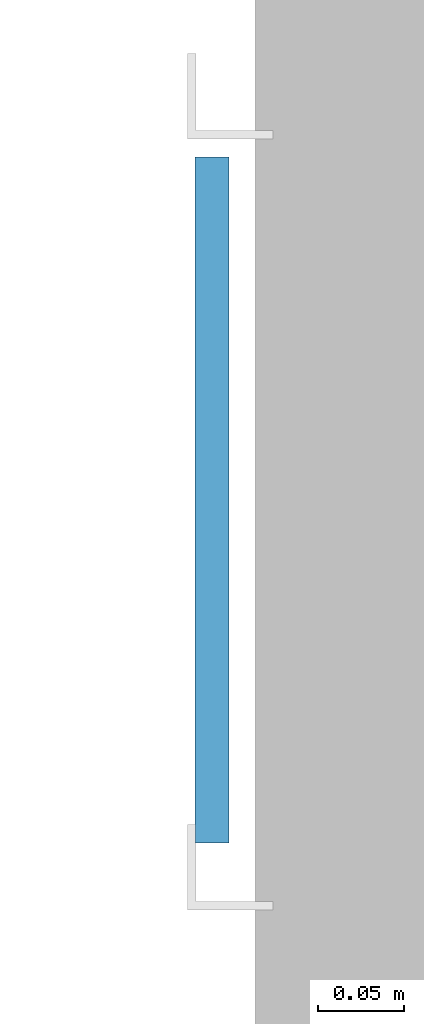
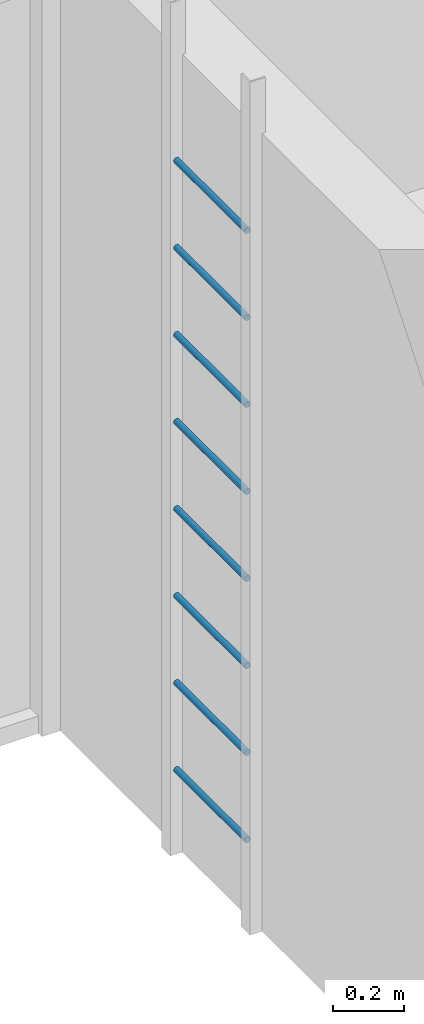
# One storey, part 14 of 41: 8 members.
"""IFC4 building model written with IfcOpenShell, lengths in metres."""

from ifc_helpers import new_model, si_unit, direction, frame, origin, origin_2d, place, context, subcontext, project, spatial, circle, extrude, material, material_profile, profile_set, type_object, element, save


model = new_model("IFC4")

# Units and contexts
model_context = context("Model", 3, precision=1e-05, world=origin(), true_north=direction((0.0, 1.0)))
body_context = subcontext(model_context, "Body", "Model", "MODEL_VIEW")
ifc_project = project(units=[si_unit("LENGTHUNIT", "METRE"), si_unit("AREAUNIT", "SQUARE_METRE"), si_unit("VOLUMEUNIT", "CUBIC_METRE"), si_unit("PLANEANGLEUNIT", "RADIAN"), si_unit("MASSUNIT", "GRAM", prefix="KILO")], contexts=[model_context])

# Site, building, storey
site_placement = place(None, origin())
site = spatial("IfcSite", under=ifc_project, at=site_placement, CompositionType="ELEMENT")
building_placement = place(site_placement, origin())
building = spatial("IfcBuilding", under=site, at=building_placement, Name="Ridgestep Commons", CompositionType="ELEMENT")
storey_placement = place(building_placement, frame((0.0, 0.0, 39.0)))
storey = spatial("IfcBuildingStorey", under=building, at=storey_placement, Name="L13", CompositionType="ELEMENT", Elevation=39.0)

# Members
ifc_material = material(Name="Structural steel S355JR", Category="steel")
ifc_material_profile = material_profile(ifc_material, circle(Radius=0.010009765625, at=origin_2d()), Name="Round bar 20")
ifc_profile_set = profile_set([ifc_material_profile], Name="Structural steel S355JR")
member_type = type_object("IfcMemberType", Name="Core ladder rung 20", PredefinedType="STRINGER", material=ifc_profile_set)
for number, where, z_axis, x_axis, name in (
    (1, (211.0, 21.64990234375, 0.300048828125), (0.0, 1.0, 0.0), (-1.0, 0.0, 0.0), "Ladder rung D4C.1"),
    (2, (211.0, 21.64990234375, 0.60009765625), (0.0, 1.0, 0.0), (-1.0, 0.0, 0.0), "Ladder rung D4C.2"),
    (3, (211.0, 21.64990234375, 0.89990234375), (0.0, 1.0, 0.0), (-1.0, 0.0, 0.0), "Ladder rung D4C.3"),
    (4, (211.0, 21.64990234375, 1.199951171875), (0.0, 1.0, 0.0), (-1.0, 0.0, 0.0), "Ladder rung D4C.4"),
    (5, (211.0, 21.64990234375, 1.5), (0.0, 1.0, 0.0), (-1.0, 0.0, 0.0), "Ladder rung D4C.5"),
    (6, (211.0, 21.64990234375, 1.800048828125), (0.0, 1.0, 0.0), (-1.0, 0.0, 0.0), "Ladder rung D4C.6"),
    (7, (211.0, 21.64990234375, 2.10009765625), (0.0, 1.0, 0.0), (-1.0, 0.0, 0.0), "Ladder rung D4C.7"),
    (8, (211.0, 21.64990234375, 2.39990234375), (0.0, 1.0, 0.0), (-1.0, 0.0, 0.0), "Ladder rung D4C.8"),
):
    element("IfcMember", number, at=place(storey_placement, frame(where, z_axis=z_axis, x_axis=x_axis)), inside=storey, type_object=member_type, Name=name, PredefinedType="STRINGER", context=body_context, shape_type="SweptSolid", body=[
        extrude(circle(Radius=0.010009765625, at=origin_2d()), origin(), (0.0, 0.0, 1.0), 0.400146484375),
    ])

save(model, "model.ifc")
